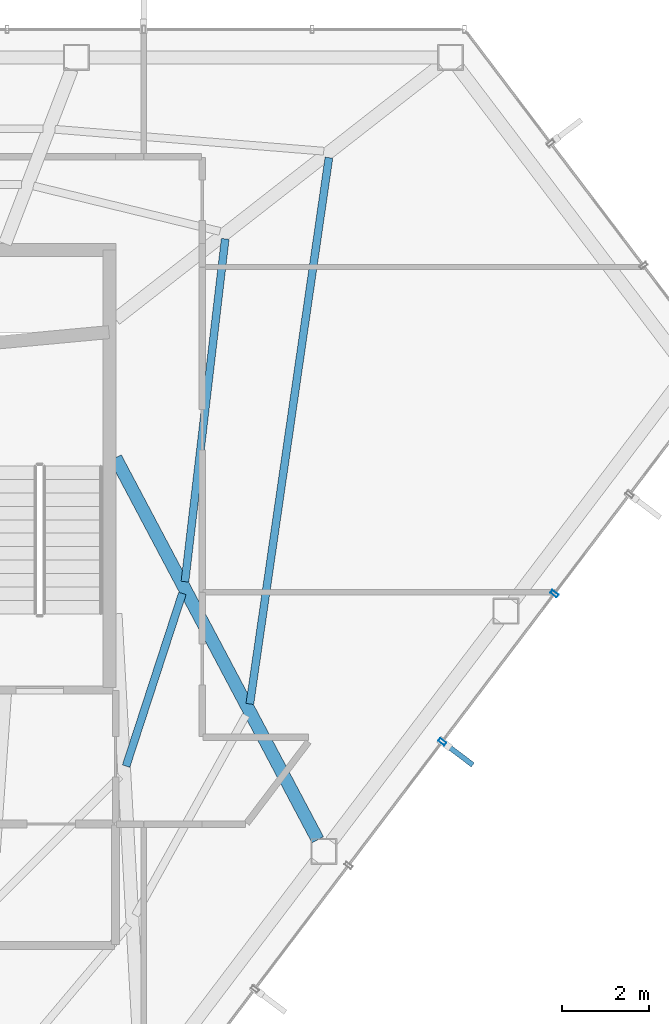
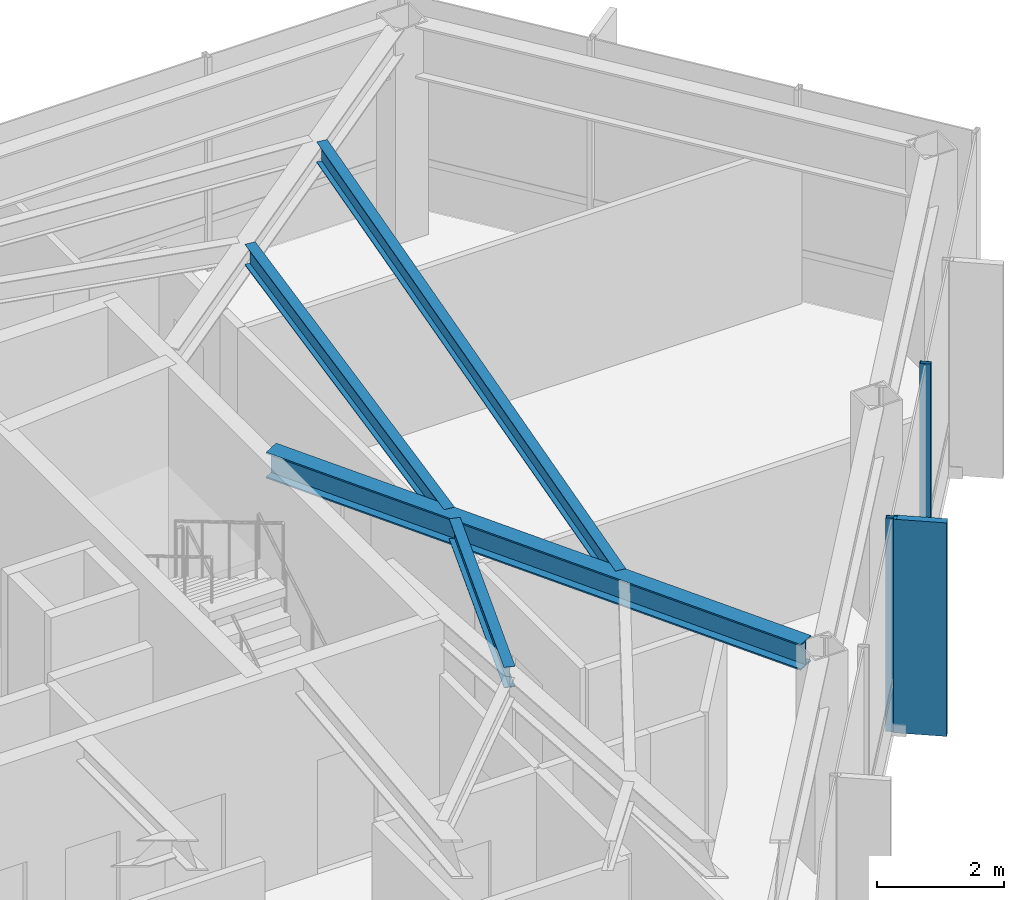
# One storey, part 14 of 23: 4 beams, 3 members, 1 element without a shape of its own.
"""IFC4 building model written with IfcOpenShell, lengths in metres."""

from ifc_helpers import new_model, si_unit, direction, frame, origin, origin_2d, place, context, subcontext, project, spatial, rectangle, hollow_rectangle, i_section, extrude, material, layer, layer_set, material_profile, profile_set, type_object, element, aggregate, save


model = new_model("IFC4")

# Units and contexts
model_context = context("Model", 3, precision=1e-05, world=origin(), true_north=direction((0.0, 1.0)))
body_context = subcontext(model_context, "Body", "Model", "MODEL_VIEW")
ifc_project = project(units=[si_unit("LENGTHUNIT", "METRE"), si_unit("AREAUNIT", "SQUARE_METRE"), si_unit("VOLUMEUNIT", "CUBIC_METRE"), si_unit("PLANEANGLEUNIT", "RADIAN"), si_unit("MASSUNIT", "GRAM", prefix="KILO")], contexts=[model_context])

# Site, building, storey
site_placement = place(None, origin())
site = spatial("IfcSite", under=ifc_project, at=site_placement, CompositionType="ELEMENT")
building_placement = place(site_placement, origin())
building = spatial("IfcBuilding", under=site, at=building_placement, Name="Zarrinselat Tower", CompositionType="ELEMENT")
storey_placement = place(building_placement, frame((0.0, 0.0, 199.919921875)))
storey = spatial("IfcBuildingStorey", under=building, at=storey_placement, Name="L49", CompositionType="ELEMENT", Elevation=199.919921875)

# Beams
ifc_material_1 = material(Name="Steel S355J2", Category="steel")
ifc_material_profile_1 = material_profile(ifc_material_1, i_section(OverallWidth=0.300048828125, OverallDepth=0.5, WebThickness=0.014404296875, FlangeThickness=0.028076171875, at=origin_2d()), Name="HEB 500")
ifc_profile_set_1 = profile_set([ifc_material_profile_1], Name="Steel S355J2")
beam_type_1 = type_object("IfcBeamType", Name="BM-HEB500", PredefinedType="BEAM", material=ifc_profile_set_1)
beam_1_placement = place(storey_placement, frame((48.35009765625, 38.60009765625, 3.8701171875), z_axis=(0.467900092417, -0.883781366355, 0.0), x_axis=(0.883781366355, 0.467900092417, 0.0)))
element("IfcBeam", 1, at=beam_1_placement, inside=storey, type_object=beam_type_1, Name="L49 Radial Primary Girder RG13", PredefinedType="BEAM", context=body_context, shape_type="SweptSolid", body=[
    extrude(i_section(OverallWidth=0.300048828125, OverallDepth=0.5, WebThickness=0.014404296875, FlangeThickness=0.028076171875, at=origin_2d()), origin(), (0.0, 0.0, 1.0), 9.973388671875),
])
ifc_material_2 = material(Name="Steel S355J2", Category="steel")
ifc_material_profile_2 = material_profile(ifc_material_2, i_section(OverallWidth=0.179931640625, OverallDepth=0.39990234375, WebThickness=0.008544921875, FlangeThickness=0.013427734375, at=origin_2d()), Name="IPE 400")
ifc_profile_set_2 = profile_set([ifc_material_profile_2], Name="Steel S355J2")
beam_type_2 = type_object("IfcBeamType", Name="BM-IPE400", PredefinedType="JOIST", material=ifc_profile_set_2)
beam_2_placement = place(storey_placement, frame((48.594482421875, 31.487060546875, 3.920166015625), z_axis=(0.310014874538, 0.950731706406, 0.0), x_axis=(-0.950731706406, 0.310014874538, 0.0)))
element("IfcBeam", 2, at=beam_2_placement, inside=storey, type_object=beam_type_2, Name="L49 Composite Floor Joist 4-2", PredefinedType="JOIST", context=body_context, shape_type="SweptSolid", body=[
    extrude(i_section(OverallWidth=0.179931640625, OverallDepth=0.39990234375, WebThickness=0.008544921875, FlangeThickness=0.013427734375, at=origin_2d()), origin(), (0.0, 0.0, 1.0), 4.189453125),
])
beam_3_placement = place(storey_placement, frame((51.449951171875, 32.921142578125, 3.920166015625), z_axis=(0.143267697194, 0.989683973267, 0.0), x_axis=(-0.989683973267, 0.143267697194, 0.0)))
element("IfcBeam", 3, at=beam_3_placement, inside=storey, type_object=beam_type_2, Name="L49 Composite Floor Joist 5-1", PredefinedType="JOIST", context=body_context, shape_type="SweptSolid", body=[
    extrude(i_section(OverallWidth=0.179931640625, OverallDepth=0.39990234375, WebThickness=0.008544921875, FlangeThickness=0.013427734375, at=origin_2d()), origin(), (0.0, 0.0, 1.0), 12.734619140625),
])
beam_4_placement = place(storey_placement, frame((49.952880859375, 35.7421875, 3.920166015625), z_axis=(0.116537053039, 0.993186344685, 0.0), x_axis=(-0.993186344685, 0.116537053039, 0.0)))
element("IfcBeam", 4, at=beam_4_placement, inside=storey, type_object=beam_type_2, Name="L49 Composite Floor Joist 5-2", PredefinedType="JOIST", context=body_context, shape_type="SweptSolid", body=[
    extrude(i_section(OverallWidth=0.179931640625, OverallDepth=0.39990234375, WebThickness=0.008544921875, FlangeThickness=0.013427734375, at=origin_2d()), origin(), (0.0, 0.0, 1.0), 7.962890625),
])

# Curtain wall, members
ifc_material_3 = material(Name="Extruded Aluminium Alloy EN AW-6063 T6", Category="aluminium")
ifc_layer = layer(ifc_material_3, 0.195068359375)
ifc_layer_set = layer_set([ifc_layer], Name="Extruded Aluminium Alloy EN AW-6063 T6")
curtain_wall_type = type_object("IfcCurtainWallType", Name="CWS-GDN", PredefinedType="NOTDEFINED", material=ifc_layer_set)
curtain_wall_placement = place(storey_placement, origin())
curtain_wall = element("IfcCurtainWall", 5, at=curtain_wall_placement, inside=storey, type_object=curtain_wall_type, Name="L49 Unitised Curtain Wall CW-L49-E04", PredefinedType="NOTDEFINED")
ifc_material_4 = material(Name="Extruded Aluminium Alloy EN AW-6063 T6", Category="aluminium")
ifc_material_profile_3 = material_profile(ifc_material_4, hollow_rectangle(XDim=0.080078125, YDim=0.179931640625, WallThickness=0.0048828125, at=origin_2d()), Name="RHS 180x80x5")
ifc_profile_set_3 = profile_set([ifc_material_profile_3], Name="Extruded Aluminium Alloy EN AW-6063 T6")
member_type_1 = type_object("IfcMemberType", Name="MEM-CW-MUL", PredefinedType="MULLION", material=ifc_profile_set_3)
member_1_placement = place(storey_placement, frame((58.476806640625, 35.4638671875, 0.0), z_axis=(0.0, 0.0, 1.0), x_axis=(-0.603858158606, -0.79709179163, 0.0)))
member_1 = element("IfcMember", 6, at=member_1_placement, type_object=member_type_1, Name="CW-L49-E04 Mullion 2", PredefinedType="MULLION", context=body_context, shape_type="SweptSolid", body=[
    extrude(hollow_rectangle(XDim=0.080078125, YDim=0.179931640625, WallThickness=0.0048828125, at=origin_2d()), origin(), (0.0, 0.0, 1.0), 4.1201171875),
])
member_2_placement = place(storey_placement, frame((55.888671875, 32.04736328125, 0.0), z_axis=(0.0, 0.0, 1.0), x_axis=(-0.603858158606, -0.79709179163, 0.0)))
member_2 = element("IfcMember", 7, at=member_2_placement, type_object=member_type_1, Name="CW-L49-E04 Mullion 3", PredefinedType="MULLION", context=body_context, shape_type="SweptSolid", body=[
    extrude(hollow_rectangle(XDim=0.080078125, YDim=0.179931640625, WallThickness=0.0048828125, at=origin_2d()), origin(), (0.0, 0.0, 1.0), 4.1201171875),
])
ifc_material_5 = material(Name="Honed Cream Travertine Stone", Category="masonry")
ifc_material_profile_4 = material_profile(ifc_material_5, rectangle(XDim=0.1201171875, YDim=0.85009765625, at=origin_2d()), Name="FIN 850x120")
ifc_profile_set_4 = profile_set([ifc_material_profile_4], Name="Honed Cream Travertine Stone")
member_type_2 = type_object("IfcMemberType", Name="MEM-STONE-FIN", PredefinedType="USERDEFINED", material=ifc_profile_set_4)
member_3_placement = place(storey_placement, frame((56.25537109375, 31.76953125, 0.0), z_axis=(0.0, 0.0, 1.0), x_axis=(-0.603858158606, -0.79709179163, 0.0)))
member_3 = element("IfcMember", 8, at=member_3_placement, type_object=member_type_2, Name="L49 Stone Shading Fin CW-L49-E04-03", ObjectType="FIN", PredefinedType="USERDEFINED", context=body_context, shape_type="SweptSolid", body=[
    extrude(rectangle(XDim=0.1201171875, YDim=0.85009765625, at=origin_2d()), origin(), (0.0, 0.0, 1.0), 4.1201171875),
])
aggregate(curtain_wall, [member_1, member_2, member_3])

save(model, "model.ifc")
